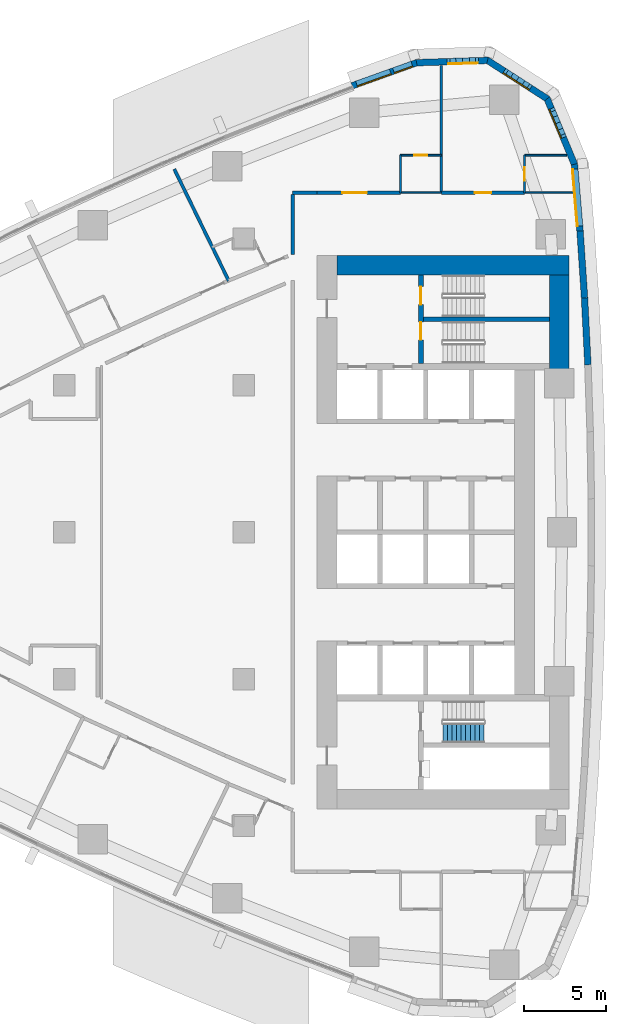
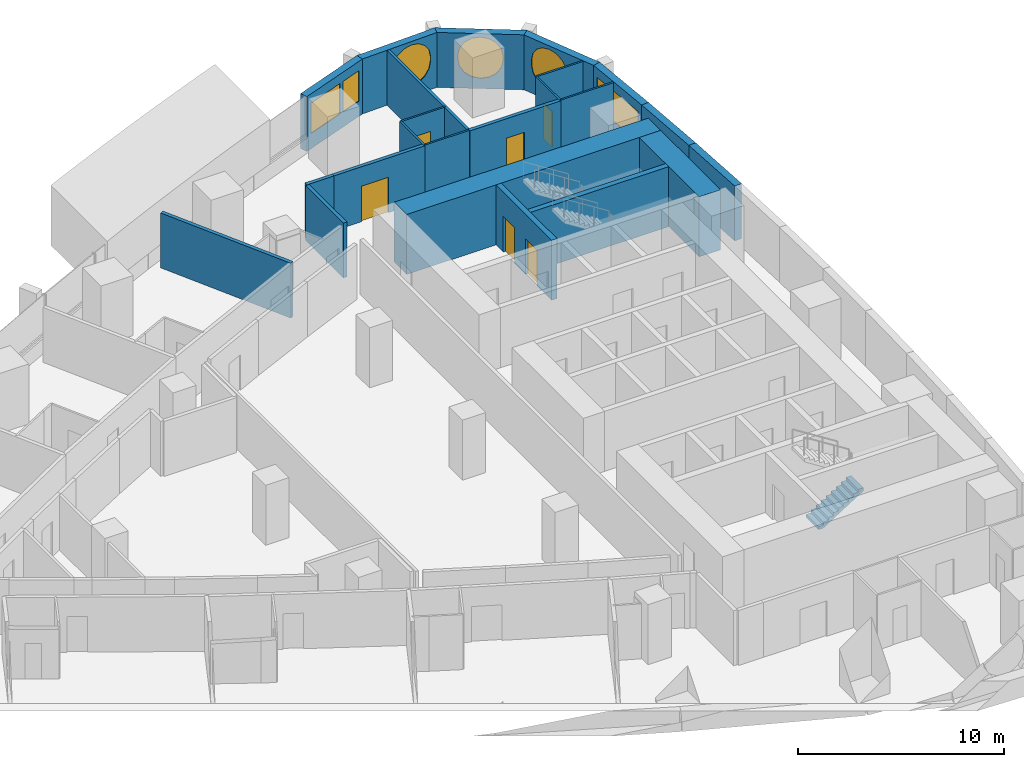
# One storey, part 13 of 19: 23 walls, 6 doors, 6 windows, 1 stair flight, 12 openings, 1 element without a shape of its own.
"""IFC4 building model written with IfcOpenShell, lengths in metres."""

from ifc_helpers import new_model, si_unit, direction, frame, frame_2d, origin, place, context, subcontext, project, spatial, polyline, rectangle, outline, extrude, material, layer, layer_set, type_object, element, fill, aggregate, save


model = new_model("IFC4")

# Units and contexts
model_context = context("Model", 3, precision=1e-05, world=origin(), true_north=direction((0.0, 1.0)))
body_context = subcontext(model_context, "Body", "Model", "MODEL_VIEW")
ifc_project = project(units=[si_unit("LENGTHUNIT", "METRE"), si_unit("AREAUNIT", "SQUARE_METRE"), si_unit("VOLUMEUNIT", "CUBIC_METRE"), si_unit("PLANEANGLEUNIT", "RADIAN"), si_unit("MASSUNIT", "GRAM", prefix="KILO")], contexts=[model_context])

# Site, building, storey
site_placement = place(None, origin())
site = spatial("IfcSite", under=ifc_project, at=site_placement, CompositionType="ELEMENT")
building_placement = place(site_placement, origin())
building = spatial("IfcBuilding", under=site, at=building_placement, Name="Ostrand Prow Hotel Tower", CompositionType="ELEMENT")
storey_placement = place(building_placement, frame((0.0, 0.0, 60.89990234375)))
storey = spatial("IfcBuildingStorey", under=building, at=storey_placement, Name="L13", CompositionType="ELEMENT", Elevation=60.89990234375)

# Walls
ifc_material_1 = material(Name="Concrete C80/95", Category="concrete")
ifc_layer_1 = layer(ifc_material_1, 1.199951171875)
ifc_layer_set_1 = layer_set([ifc_layer_1], Name="Concrete C80/95")
wall_type_1 = type_object("IfcWallType", Name="Core wall 1200 C80/95", PredefinedType="SHEAR", material=ifc_layer_set_1)
wall_1_placement = place(storey_placement, frame((50.699951171875, 16.35009765625, 0.0), z_axis=(0.0, 0.0, 1.0), x_axis=(1.0, 0.0, 0.0)))
element("IfcWall", 1, at=wall_1_placement, inside=storey, type_object=wall_type_1, Name="Core wall CW-N", PredefinedType="SHEAR", context=body_context, shape_type="SweptSolid", body=[
    extrude(rectangle(XDim=14.219970703125, YDim=1.199951171875, at=frame_2d((7.10986328125, 0.0))), origin(), (0.0, 0.0, 1.0), 3.550048828125),
])
wall_2_placement = place(storey_placement, frame((64.320068359375, 9.949951171875, 0.0), z_axis=(0.0, 0.0, 1.0), x_axis=(0.0, 1.0, 0.0)))
element("IfcWall", 2, at=wall_2_placement, inside=storey, type_object=wall_type_1, Name="Core wall CW-E-N", PredefinedType="SHEAR", context=body_context, shape_type="SweptSolid", body=[
    extrude(rectangle(XDim=5.800048828125, YDim=1.199951171875, at=frame_2d((2.89990234375, 0.0))), origin(), (0.0, 0.0, 1.0), 3.550048828125),
])

# Wall, openings, doors
ifc_material_2 = material(Name="Concrete C80/95", Category="concrete")
ifc_layer_2 = layer(ifc_material_2, 0.300048828125)
ifc_layer_set_2 = layer_set([ifc_layer_2], Name="Concrete C80/95")
wall_type_2 = type_object("IfcWallType", Name="Core wall 300 C80/95", PredefinedType="SHEAR", material=ifc_layer_set_2)
wall_3_placement = place(storey_placement, frame((55.85009765625, 10.35009765625, 0.0), z_axis=(0.0, 0.0, 1.0), x_axis=(0.0, 1.0, 0.0)))
wall_3 = element("IfcWall", 3, at=wall_3_placement, inside=storey, type_object=wall_type_2, Name="Core wall PW-VN", PredefinedType="SHEAR", context=body_context, shape_type="SweptSolid", body=[
    extrude(rectangle(XDim=5.39990234375, YDim=0.300048828125, at=frame_2d((2.699951171875, 0.0))), origin(), (0.0, 0.0, 1.0), 3.550048828125),
])
opening_1_placement = place(wall_3_placement, frame((1.429931640625, 0.0, 0.0)))
opening_1 = element("IfcOpeningElement", 4, at=opening_1_placement, cuts=wall_3, Name="Opening FD1", PredefinedType="OPENING", context=body_context, shape_type="SweptSolid", body=[
    extrude(rectangle(XDim=1.10009765625, YDim=2.10009765625, at=frame_2d((0.550048828125, 1.050048828125))), frame((0.0, 0.159912109375, 0.0), z_axis=(0.0, -1.0, 0.0), x_axis=(1.0, 0.0, 0.0)), (0.0, 0.0, 1.0), 0.320068359375),
])
opening_2_placement = place(wall_3_placement, frame((3.60009765625, 0.0, 0.0)))
opening_2 = element("IfcOpeningElement", 5, at=opening_2_placement, cuts=wall_3, Name="Opening FD1", PredefinedType="OPENING", context=body_context, shape_type="SweptSolid", body=[
    extrude(rectangle(XDim=1.10009765625, YDim=2.10009765625, at=frame_2d((0.550048828125, 1.050048828125))), frame((0.0, 0.159912109375, 0.0), z_axis=(0.0, -1.0, 0.0), x_axis=(1.0, 0.0, 0.0)), (0.0, 0.0, 1.0), 0.320068359375),
])
ifc_material_3 = material(Name="Steel fire door", Category="steel")
door_type_1 = type_object("IfcDoorType", Name="Fire door 1100 EI120", OperationType="SINGLE_SWING_RIGHT", PredefinedType="DOOR", material=ifc_material_3)
door_1_placement = place(opening_1_placement, origin())
door_1 = element("IfcDoor", 6, at=door_1_placement, inside=storey, type_object=door_type_1, Name="FIRE DOOR", OperationType="SINGLE_SWING_RIGHT", OverallHeight=2.10009765625, OverallWidth=1.10009765625, PredefinedType="DOOR", context=body_context, shape_type="SweptSolid", body=[
    extrude(rectangle(XDim=1.10009765625, YDim=2.10009765625, at=frame_2d((0.550048828125, 1.050048828125))), frame((0.0, 0.02490234375, 0.0), z_axis=(0.0, -1.0, 0.0), x_axis=(1.0, 0.0, 0.0)), (0.0, 0.0, 1.0), 0.050048828125),
])
fill(opening_1, door_1)
door_2_placement = place(opening_2_placement, origin())
door_2 = element("IfcDoor", 7, at=door_2_placement, inside=storey, type_object=door_type_1, Name="FIRE DOOR", OperationType="SINGLE_SWING_RIGHT", OverallHeight=2.10009765625, OverallWidth=1.10009765625, PredefinedType="DOOR", context=body_context, shape_type="SweptSolid", body=[
    extrude(rectangle(XDim=1.10009765625, YDim=2.10009765625, at=frame_2d((0.550048828125, 1.050048828125))), frame((0.0, 0.02490234375, 0.0), z_axis=(0.0, -1.0, 0.0), x_axis=(1.0, 0.0, 0.0)), (0.0, 0.0, 1.0), 0.050048828125),
])
fill(opening_2, door_2)

# Walls
wall_4_placement = place(storey_placement, frame((56.0, 13.050048828125, 0.0), z_axis=(0.0, 0.0, 1.0), x_axis=(1.0, 0.0, 0.0)))
element("IfcWall", 8, at=wall_4_placement, inside=storey, type_object=wall_type_2, Name="Core wall PW-ST13", PredefinedType="SHEAR", context=body_context, shape_type="SweptSolid", body=[
    extrude(rectangle(XDim=7.719970703125, YDim=0.300048828125, at=frame_2d((3.85986328125, 0.0))), origin(), (0.0, 0.0, 1.0), 3.550048828125),
])
ifc_material_4 = material(Name="Plasterboard partition")
ifc_layer_3 = layer(ifc_material_4, 0.10009765625)
ifc_layer_set_3 = layer_set([ifc_layer_3], Name="Plasterboard partition")
wall_type_3 = type_object("IfcWallType", Name="Partition 100 bathroom wall", PredefinedType="PARTITIONING", material=ifc_layer_set_3)
wall_5_placement = place(storey_placement, frame((54.601806640625, 20.800048828125, 0.0), z_axis=(0.0, 0.0, 1.0), x_axis=(0.0, 1.0, 0.0)))
element("IfcWall", 9, at=wall_5_placement, inside=storey, type_object=wall_type_3, Name="BATHROOM WALL", PredefinedType="PARTITIONING", context=body_context, shape_type="SweptSolid", body=[
    extrude(rectangle(XDim=2.300048828125, YDim=0.10009765625, at=frame_2d((1.14990234375, 0.0))), origin(), (0.0, 0.0, 1.0), 3.25),
])

# Wall, opening, door
wall_6_placement = place(storey_placement, frame((54.601806640625, 23.10009765625, 0.0), z_axis=(0.0, 0.0, 1.0), x_axis=(1.0, 0.0, 0.0)))
wall_6 = element("IfcWall", 10, at=wall_6_placement, inside=storey, type_object=wall_type_3, Name="BATHROOM WALL", PredefinedType="PARTITIONING", context=body_context, shape_type="SweptSolid", body=[
    extrude(rectangle(XDim=2.5, YDim=0.10009765625, at=frame_2d((1.25, 0.0))), origin(), (0.0, 0.0, 1.0), 3.25),
])
opening_3_placement = place(wall_6_placement, frame((0.85009765625, 0.0, 0.0)))
opening_3 = element("IfcOpeningElement", 11, at=opening_3_placement, cuts=wall_6, Name="Opening D2", PredefinedType="OPENING", context=body_context, shape_type="SweptSolid", body=[
    extrude(rectangle(XDim=0.800048828125, YDim=2.10009765625, at=frame_2d((0.39990234375, 1.050048828125))), frame((0.0, 0.06005859375, 0.0), z_axis=(0.0, -1.0, 0.0), x_axis=(1.0, 0.0, 0.0)), (0.0, 0.0, 1.0), 0.1201171875),
])
ifc_material_5 = material(Name="Timber door leaf", Category="wood")
door_type_2 = type_object("IfcDoorType", Name="Bathroom door 800", OperationType="SINGLE_SWING_LEFT", PredefinedType="DOOR", material=ifc_material_5)
door_3_placement = place(opening_3_placement, origin())
door_3 = element("IfcDoor", 12, at=door_3_placement, inside=storey, type_object=door_type_2, Name="DOOR", OperationType="SINGLE_SWING_LEFT", OverallHeight=2.10009765625, OverallWidth=0.800048828125, PredefinedType="DOOR", context=body_context, shape_type="SweptSolid", body=[
    extrude(rectangle(XDim=0.800048828125, YDim=2.10009765625, at=frame_2d((0.39990234375, 1.050048828125))), frame((0.0, 0.02490234375, 0.0), z_axis=(0.0, -1.0, 0.0), x_axis=(1.0, 0.0, 0.0)), (0.0, 0.0, 1.0), 0.050048828125),
])
fill(opening_3, door_3)

wall_7_placement = place(storey_placement, frame((62.203369140625, 20.800048828125, 0.0), z_axis=(0.0, 0.0, 1.0), x_axis=(0.0, 1.0, 0.0)))
wall_7 = element("IfcWall", 13, at=wall_7_placement, inside=storey, type_object=wall_type_3, Name="BATHROOM WALL", PredefinedType="PARTITIONING", context=body_context, shape_type="SweptSolid", body=[
    extrude(rectangle(XDim=2.300048828125, YDim=0.10009765625, at=frame_2d((1.14990234375, 0.0))), origin(), (0.0, 0.0, 1.0), 3.25),
])
opening_4_placement = place(wall_7_placement, frame((0.75, 0.0, 0.0)))
opening_4 = element("IfcOpeningElement", 14, at=opening_4_placement, cuts=wall_7, Name="Opening D2", PredefinedType="OPENING", context=body_context, shape_type="SweptSolid", body=[
    extrude(rectangle(XDim=0.800048828125, YDim=2.10009765625, at=frame_2d((0.39990234375, 1.050048828125))), frame((0.0, 0.06005859375, 0.0), z_axis=(0.0, -1.0, 0.0), x_axis=(1.0, 0.0, 0.0)), (0.0, 0.0, 1.0), 0.1201171875),
])
door_4_placement = place(opening_4_placement, origin())
door_4 = element("IfcDoor", 15, at=door_4_placement, inside=storey, type_object=door_type_2, Name="DOOR", OperationType="SINGLE_SWING_LEFT", OverallHeight=2.10009765625, OverallWidth=0.800048828125, PredefinedType="DOOR", context=body_context, shape_type="SweptSolid", body=[
    extrude(rectangle(XDim=0.800048828125, YDim=2.10009765625, at=frame_2d((0.39990234375, 1.050048828125))), frame((0.0, 0.02490234375, 0.0), z_axis=(0.0, -1.0, 0.0), x_axis=(1.0, 0.0, 0.0)), (0.0, 0.0, 1.0), 0.050048828125),
])
fill(opening_4, door_4)

# Walls
wall_8_placement = place(storey_placement, frame((62.203369140625, 23.10009765625, 0.0), z_axis=(0.0, 0.0, 1.0), x_axis=(1.0, 0.0, 0.0)))
element("IfcWall", 16, at=wall_8_placement, inside=storey, type_object=wall_type_3, Name="BATHROOM WALL", PredefinedType="PARTITIONING", context=body_context, shape_type="SweptSolid", body=[
    extrude(rectangle(XDim=2.578125, YDim=0.10009765625, at=frame_2d((1.2890625, 0.0))), origin(), (0.0, 0.0, 1.0), 3.25),
])
wall_9_placement = place(storey_placement, frame((57.101806640625, 20.804931640625, 0.0), z_axis=(0.0, 0.0, 1.0), x_axis=(-1.0, 0.0, 0.0)))
element("IfcWall", 17, at=wall_9_placement, inside=storey, type_object=wall_type_3, Name="BATHROOM WALL", PredefinedType="PARTITIONING", context=body_context, shape_type="SweptSolid", body=[
    extrude(rectangle(XDim=2.5, YDim=0.10009765625, at=frame_2d((1.25, 0.0))), origin(), (0.0, 0.0, 1.0), 3.25),
])
wall_10_placement = place(storey_placement, frame((65.174560546875, 20.804931640625, 0.0), z_axis=(0.0, 0.0, 1.0), x_axis=(-1.0, 0.0, 0.0)))
element("IfcWall", 18, at=wall_10_placement, inside=storey, type_object=wall_type_3, Name="BATHROOM WALL", PredefinedType="PARTITIONING", context=body_context, shape_type="SweptSolid", body=[
    extrude(rectangle(XDim=2.97119140625, YDim=0.10009765625, at=frame_2d((1.485595703125, 0.0))), origin(), (0.0, 0.0, 1.0), 3.25),
])
ifc_material_6 = material(Name="Plasterboard partition")
ifc_layer_4 = layer(ifc_material_6, 0.14990234375)
ifc_layer_set_4 = layer_set([ifc_layer_4], Name="Plasterboard partition")
wall_type_4 = type_object("IfcWallType", Name="Partition 150 room partition", PredefinedType="PARTITIONING", material=ifc_layer_set_4)
wall_11_placement = place(storey_placement, frame((57.101806640625, 20.800048828125, 0.0), z_axis=(0.0, 0.0, 1.0), x_axis=(0.0, 1.0, 0.0)))
element("IfcWall", 19, at=wall_11_placement, inside=storey, type_object=wall_type_4, Name="ROOM PARTITION", PredefinedType="PARTITIONING", context=body_context, shape_type="SweptSolid", body=[
    extrude(rectangle(XDim=7.786865234375, YDim=0.14990234375, at=frame_2d((3.8935546875, 0.0))), origin(), (0.0, 0.0, 1.0), 3.25),
])

# Wall, opening, door
ifc_material_7 = material(Name="Plasterboard partition")
ifc_layer_5 = layer(ifc_material_7, 0.199951171875)
ifc_layer_set_5 = layer_set([ifc_layer_5], Name="Plasterboard partition")
wall_type_5 = type_object("IfcWallType", Name="Partition 200 corridor wall", PredefinedType="PARTITIONING", material=ifc_layer_set_5)
wall_12_placement = place(storey_placement, frame((54.5966796875, 20.804931640625, 0.0), z_axis=(0.0, 0.0, 1.0), x_axis=(-1.0, 0.0, 0.0)))
wall_12 = element("IfcWall", 20, at=wall_12_placement, inside=storey, type_object=wall_type_5, Name="CORRIDOR WALL", PredefinedType="PARTITIONING", context=body_context, shape_type="SweptSolid", body=[
    extrude(rectangle(XDim=5.0966796875, YDim=0.199951171875, at=frame_2d((2.54833984375, 0.0))), origin(), (0.0, 0.0, 1.0), 3.25),
])
opening_5_placement = place(wall_12_placement, frame((2.04833984375, 0.0, 0.0)))
opening_5 = element("IfcOpeningElement", 21, at=opening_5_placement, cuts=wall_12, Name="Opening D15", PredefinedType="OPENING", context=body_context, shape_type="SweptSolid", body=[
    extrude(rectangle(XDim=1.5, YDim=2.10009765625, at=frame_2d((0.75, 1.050048828125))), frame((0.0, 0.10986328125, 0.0), z_axis=(0.0, -1.0, 0.0), x_axis=(1.0, 0.0, 0.0)), (0.0, 0.0, 1.0), 0.219970703125),
])
ifc_material_8 = material(Name="Timber door leaf", Category="wood")
door_type_3 = type_object("IfcDoorType", Name="Double door 1500", OperationType="DOUBLE_DOOR_SINGLE_SWING", PredefinedType="DOOR", material=ifc_material_8)
door_5_placement = place(opening_5_placement, origin())
door_5 = element("IfcDoor", 22, at=door_5_placement, inside=storey, type_object=door_type_3, Name="DOOR", OperationType="DOUBLE_DOOR_SINGLE_SWING", OverallHeight=2.10009765625, OverallWidth=1.5, PredefinedType="DOOR", context=body_context, shape_type="SweptSolid", body=[
    extrude(rectangle(XDim=1.5, YDim=2.10009765625, at=frame_2d((0.75, 1.050048828125))), frame((0.0, 0.02490234375, 0.0), z_axis=(0.0, -1.0, 0.0), x_axis=(1.0, 0.0, 0.0)), (0.0, 0.0, 1.0), 0.050048828125),
])
fill(opening_5, door_5)

wall_13_placement = place(storey_placement, frame((62.1982421875, 20.804931640625, 0.0), z_axis=(0.0, 0.0, 1.0), x_axis=(-1.0, 0.0, 0.0)))
wall_13 = element("IfcWall", 23, at=wall_13_placement, inside=storey, type_object=wall_type_5, Name="CORRIDOR WALL", PredefinedType="PARTITIONING", context=body_context, shape_type="SweptSolid", body=[
    extrude(rectangle(XDim=5.091552734375, YDim=0.199951171875, at=frame_2d((2.5458984375, 0.0))), origin(), (0.0, 0.0, 1.0), 3.25),
])
opening_6_placement = place(wall_13_placement, frame((2.0458984375, 0.0, 0.0)))
opening_6 = element("IfcOpeningElement", 24, at=opening_6_placement, cuts=wall_13, Name="Opening D1R", PredefinedType="OPENING", context=body_context, shape_type="SweptSolid", body=[
    extrude(rectangle(XDim=1.0, YDim=2.10009765625, at=frame_2d((0.5, 1.050048828125))), frame((0.0, 0.10986328125, 0.0), z_axis=(0.0, -1.0, 0.0), x_axis=(1.0, 0.0, 0.0)), (0.0, 0.0, 1.0), 0.219970703125),
])
ifc_material_9 = material(Name="Timber door leaf", Category="wood")
door_type_4 = type_object("IfcDoorType", Name="Guest room door 1000 right", OperationType="SINGLE_SWING_RIGHT", PredefinedType="DOOR", material=ifc_material_9)
door_6_placement = place(opening_6_placement, origin())
door_6 = element("IfcDoor", 25, at=door_6_placement, inside=storey, type_object=door_type_4, Name="DOOR", OperationType="SINGLE_SWING_RIGHT", OverallHeight=2.10009765625, OverallWidth=1.0, PredefinedType="DOOR", context=body_context, shape_type="SweptSolid", body=[
    extrude(rectangle(XDim=1.0, YDim=2.10009765625, at=frame_2d((0.5, 1.050048828125))), frame((0.0, 0.02490234375, 0.0), z_axis=(0.0, -1.0, 0.0), x_axis=(1.0, 0.0, 0.0)), (0.0, 0.0, 1.0), 0.050048828125),
])
fill(opening_6, door_6)

# Walls
wall_14_placement = place(storey_placement, frame((49.5, 20.804931640625, 0.0), z_axis=(0.0, 0.0, 1.0), x_axis=(-0.999998933031, -0.001460800259, 0.0)))
element("IfcWall", 26, at=wall_14_placement, inside=storey, type_object=wall_type_5, Name="CORRIDOR WALL", PredefinedType="PARTITIONING", context=body_context, shape_type="SweptSolid", body=[
    extrude(rectangle(XDim=1.504150390625, YDim=0.199951171875, at=frame_2d((0.751953125, 0.0))), origin(), (0.0, 0.0, 1.0), 3.25),
])
wall_15_placement = place(storey_placement, frame((47.995849609375, 20.682861328125, 0.0), z_axis=(0.0, 0.0, 1.0), x_axis=(0.000801763623, -0.999999678587, 0.0)))
element("IfcWall", 27, at=wall_15_placement, inside=storey, type_object=wall_type_5, Name="CORRIDOR WALL", PredefinedType="PARTITIONING", context=body_context, shape_type="SweptSolid", body=[
    extrude(rectangle(XDim=3.654052734375, YDim=0.199951171875, at=frame_2d((1.8271484375, 0.0))), origin(), (0.0, 0.0, 1.0), 3.25),
])
ifc_material_10 = material(Name="Plasterboard partition")
ifc_layer_6 = layer(ifc_material_10, 0.199951171875)
ifc_layer_set_6 = layer_set([ifc_layer_6], Name="Plasterboard partition")
wall_type_6 = type_object("IfcWallType", Name="Partition 200 key partition", PredefinedType="PARTITIONING", material=ifc_layer_set_6)
wall_16_placement = place(storey_placement, frame((44.080322265625, 15.402587890625, 0.0), z_axis=(0.0, 0.0, 1.0), x_axis=(-0.438196739796, 0.898879089328, 0.0)))
element("IfcWall", 28, at=wall_16_placement, inside=storey, type_object=wall_type_6, Name="KEY PARTITION", PredefinedType="PARTITIONING", context=body_context, shape_type="SweptSolid", body=[
    extrude(rectangle(XDim=7.611083984375, YDim=0.199951171875, at=frame_2d((3.8056640625, 0.0))), origin(), (0.0, 0.0, 1.0), 3.25),
])
ifc_material_11 = material(Name="Precast concrete C40/50", Category="concrete")
ifc_layer_7 = layer(ifc_material_11, 0.39990234375)
ifc_layer_set_7 = layer_set([ifc_layer_7], Name="Precast concrete C40/50")
wall_type_7 = type_object("IfcWallType", Name="Stone-faced precast wall 400 mm", PredefinedType="NOTDEFINED", material=ifc_layer_set_7)
for number, where, z_axis, x_axis, name in (
    (29, (66.084716796875, 10.259765625, 0.0), (0.0, 0.0, 1.0), (-0.050314326423, 0.998733432181, 0.0), "Stone-faced wall back 13"),
    (30, (65.878173828125, 14.359619140625, 0.0), (0.0, 0.0, 1.0), (-0.067087430225, 0.997747100575, 0.0), "Stone-faced wall back 14"),
):
    element("IfcWall", number, at=place(storey_placement, frame(where, z_axis=z_axis, x_axis=x_axis)), inside=storey, type_object=wall_type_7, Name=name, PredefinedType="NOTDEFINED", context=body_context, shape_type="SweptSolid", body=[
        extrude(outline(polyline([(-0.001708984375, -0.199951171875), (4.106689453125, -0.199951171875), (4.103271484375, 0.199951171875), (0.001708984375, 0.199951171875), (-0.001708984375, -0.199951171875)])), origin(), (0.0, 0.0, 1.0), 3.25),
    ])

# Wall, opening, window
wall_17_placement = place(storey_placement, frame((65.602783203125, 18.455322265625, 0.0), z_axis=(0.0, 0.0, 1.0), x_axis=(-0.083793550906, 0.996483136248, 0.0)))
wall_17 = element("IfcWall", 31, at=wall_17_placement, inside=storey, type_object=wall_type_7, Name="Stone-faced wall back 15", PredefinedType="NOTDEFINED", context=body_context, shape_type="SweptSolid", body=[
    extrude(outline(polyline([(-0.001708984375, -0.199951171875), (4.136474609375, -0.199951171875), (4.073974609375, 0.199951171875), (0.001708984375, 0.199951171875), (-0.001708984375, -0.199951171875)])), origin(), (0.0, 0.0, 1.0), 3.25),
])
opening_7_placement = place(wall_17_placement, frame((0.302490234375, 0.0, 0.89990234375)))
opening_7 = element("IfcOpeningElement", 32, at=opening_7_placement, cuts=wall_17, Name="Opening WS3-35", PredefinedType="OPENING", context=body_context, shape_type="SweptSolid", body=[
    extrude(rectangle(XDim=3.5, YDim=1.800048828125, at=frame_2d((1.75, 0.89990234375))), frame((0.0, 0.2099609375, 0.0), z_axis=(0.0, -1.0, 0.0), x_axis=(1.0, 0.0, 0.0)), (0.0, 0.0, 1.0), 0.419921875),
])
ifc_material_12 = material(Name="Insulated glass in bronze frame", Category="glass")
window_type_1 = type_object("IfcWindowType", Name="Strip window 3500x1800", PartitioningType="SINGLE_PANEL", PredefinedType="WINDOW", material=ifc_material_12)
window_1_placement = place(opening_7_placement, origin())
window_1 = element("IfcWindow", 33, at=window_1_placement, inside=storey, type_object=window_type_1, Name="Window back 15.1", OverallHeight=1.800048828125, OverallWidth=3.5, PartitioningType="SINGLE_PANEL", PredefinedType="WINDOW", context=body_context, shape_type="SweptSolid", body=[
    extrude(rectangle(XDim=3.5, YDim=1.800048828125, at=frame_2d((1.75, 0.89990234375))), frame((0.0, 0.169921875, 0.0), z_axis=(0.0, -1.0, 0.0), x_axis=(1.0, 0.0, 0.0)), (0.0, 0.0, 1.0), 0.06005859375),
])
fill(opening_7, window_1)

wall_18_placement = place(storey_placement, frame((65.2587890625, 22.546142578125, 0.0), z_axis=(0.0, 0.0, 1.0), x_axis=(-0.384372042685, 0.923178277908, 0.0)))
wall_18 = element("IfcWall", 34, at=wall_18_placement, inside=storey, type_object=wall_type_7, Name="Stone-faced wall back 16", PredefinedType="NOTDEFINED", context=body_context, shape_type="SweptSolid", body=[
    extrude(outline(polyline([(-0.03125, -0.199951171875), (4.408203125, -0.199951171875), (4.283203125, 0.199951171875), (0.03125, 0.199951171875), (-0.03125, -0.199951171875)])), origin(), (0.0, 0.0, 1.0), 3.25),
])
opening_8_placement = place(wall_18_placement, frame((1.630615234375, 0.0, 0.60009765625)))
opening_8 = element("IfcOpeningElement", 35, at=opening_8_placement, cuts=wall_18, Name="Opening WP1", PredefinedType="OPENING", context=body_context, shape_type="SweptSolid", body=[
    extrude(outline(polyline([(0.0, 1.35009765625), (0.083740234375, 1.77099609375), (0.322265625, 2.127685546875), (0.678955078125, 2.3662109375), (1.10009765625, 2.449951171875), (1.52099609375, 2.3662109375), (1.877685546875, 2.127685546875), (2.1162109375, 1.77099609375), (2.199951171875, 1.35009765625), (2.199951171875, 1.10009765625), (2.1162109375, 0.678955078125), (1.877685546875, 0.322265625), (1.52099609375, 0.083740234375), (1.10009765625, 0.0), (0.678955078125, 0.083740234375), (0.322265625, 0.322265625), (0.083740234375, 0.678955078125), (0.0, 1.099853515625), (0.0, 1.35009765625)])), frame((0.0, 0.2099609375, 0.0), z_axis=(0.0, -1.0, 0.0), x_axis=(1.0, 0.0, 0.0)), (0.0, 0.0, 1.0), 0.419921875),
])
ifc_material_13 = material(Name="Insulated glass in bronze frame", Category="glass")
window_type_2 = type_object("IfcWindowType", Name="Round-ended prow window 2200x2450", PartitioningType="SINGLE_PANEL", PredefinedType="WINDOW", material=ifc_material_13)
window_2_placement = place(opening_8_placement, origin())
window_2 = element("IfcWindow", 36, at=window_2_placement, inside=storey, type_object=window_type_2, Name="Window back 16.1", OverallHeight=2.449951171875, OverallWidth=2.199951171875, PartitioningType="SINGLE_PANEL", PredefinedType="WINDOW", context=body_context, shape_type="SweptSolid", body=[
    extrude(outline(polyline([(0.0, 1.35009765625), (0.083740234375, 1.77099609375), (0.322265625, 2.127685546875), (0.678955078125, 2.3662109375), (1.10009765625, 2.449951171875), (1.52099609375, 2.3662109375), (1.877685546875, 2.127685546875), (2.1162109375, 1.77099609375), (2.199951171875, 1.35009765625), (2.199951171875, 1.10009765625), (2.1162109375, 0.678955078125), (1.877685546875, 0.322265625), (1.52099609375, 0.083740234375), (1.10009765625, 0.0), (0.678955078125, 0.083740234375), (0.322265625, 0.322265625), (0.083740234375, 0.678955078125), (0.0, 1.099853515625), (0.0, 1.35009765625)])), frame((0.0, 0.169921875, 0.0), z_axis=(0.0, -1.0, 0.0), x_axis=(1.0, 0.0, 0.0)), (0.0, 0.0, 1.0), 0.06005859375),
])
fill(opening_8, window_2)

wall_19_placement = place(storey_placement, frame((63.58837890625, 26.55810546875, 0.0), z_axis=(0.0, 0.0, 1.0), x_axis=(-0.840937468718, 0.541132307025, 0.0)))
wall_19 = element("IfcWall", 37, at=wall_19_placement, inside=storey, type_object=wall_type_7, Name="Stone-faced wall back 17", PredefinedType="NOTDEFINED", context=body_context, shape_type="SweptSolid", body=[
    extrude(outline(polyline([(-0.0625, -0.199951171875), (4.40869140625, -0.199951171875), (4.28369140625, 0.199951171875), (0.0625, 0.199951171875), (-0.0625, -0.199951171875)])), origin(), (0.0, 0.0, 1.0), 3.25),
])
opening_9_placement = place(wall_19_placement, frame((1.072998046875, 0.0, 0.60009765625)))
opening_9 = element("IfcOpeningElement", 38, at=opening_9_placement, cuts=wall_19, Name="Opening WP1", PredefinedType="OPENING", context=body_context, shape_type="SweptSolid", body=[
    extrude(outline(polyline([(0.0, 1.35009765625), (0.083740234375, 1.77099609375), (0.322265625, 2.127685546875), (0.678955078125, 2.3662109375), (1.10009765625, 2.449951171875), (1.52099609375, 2.3662109375), (1.877685546875, 2.127685546875), (2.1162109375, 1.77099609375), (2.199951171875, 1.35009765625), (2.199951171875, 1.10009765625), (2.1162109375, 0.678955078125), (1.877685546875, 0.322265625), (1.52099609375, 0.083740234375), (1.10009765625, 0.0), (0.678955078125, 0.083740234375), (0.322265625, 0.322265625), (0.083740234375, 0.678955078125), (0.0, 1.099853515625), (0.0, 1.35009765625)])), frame((0.0, 0.2099609375, 0.0), z_axis=(0.0, -1.0, 0.0), x_axis=(1.0, 0.0, 0.0)), (0.0, 0.0, 1.0), 0.419921875),
])
window_3_placement = place(opening_9_placement, origin())
window_3 = element("IfcWindow", 39, at=window_3_placement, inside=storey, type_object=window_type_2, Name="Window back 17.1", OverallHeight=2.449951171875, OverallWidth=2.199951171875, PartitioningType="SINGLE_PANEL", PredefinedType="WINDOW", context=body_context, shape_type="SweptSolid", body=[
    extrude(outline(polyline([(0.0, 1.35009765625), (0.083740234375, 1.77099609375), (0.322265625, 2.127685546875), (0.678955078125, 2.3662109375), (1.10009765625, 2.449951171875), (1.52099609375, 2.3662109375), (1.877685546875, 2.127685546875), (2.1162109375, 1.77099609375), (2.199951171875, 1.35009765625), (2.199951171875, 1.10009765625), (2.1162109375, 0.678955078125), (1.877685546875, 0.322265625), (1.52099609375, 0.083740234375), (1.10009765625, 0.0), (0.678955078125, 0.083740234375), (0.322265625, 0.322265625), (0.083740234375, 0.678955078125), (0.0, 1.099853515625), (0.0, 1.35009765625)])), frame((0.0, 0.169921875, 0.0), z_axis=(0.0, -1.0, 0.0), x_axis=(1.0, 0.0, 0.0)), (0.0, 0.0, 1.0), 0.06005859375),
])
fill(opening_9, window_3)

wall_20_placement = place(storey_placement, frame((59.93359375, 28.909912109375, 0.0), z_axis=(0.0, 0.0, 1.0), x_axis=(-0.999463576228, -0.032749958686, 0.0)))
wall_20 = element("IfcWall", 40, at=wall_20_placement, inside=storey, type_object=wall_type_7, Name="Stone-faced wall back 18", PredefinedType="NOTDEFINED", context=body_context, shape_type="SweptSolid", body=[
    extrude(outline(polyline([(-0.0625, -0.199951171875), (4.377685546875, -0.199951171875), (4.314697265625, 0.199951171875), (0.0625, 0.199951171875), (-0.0625, -0.199951171875)])), origin(), (0.0, 0.0, 1.0), 3.25),
])
opening_10_placement = place(wall_20_placement, frame((0.421875, 0.0, 0.60009765625)))
opening_10 = element("IfcOpeningElement", 41, at=opening_10_placement, cuts=wall_20, Name="Opening WP1", PredefinedType="OPENING", context=body_context, shape_type="SweptSolid", body=[
    extrude(outline(polyline([(0.0, 1.35009765625), (0.083740234375, 1.77099609375), (0.322265625, 2.127685546875), (0.678955078125, 2.3662109375), (1.10009765625, 2.449951171875), (1.52099609375, 2.3662109375), (1.877685546875, 2.127685546875), (2.1162109375, 1.77099609375), (2.199951171875, 1.35009765625), (2.199951171875, 1.10009765625), (2.1162109375, 0.678955078125), (1.877685546875, 0.322265625), (1.52099609375, 0.083740234375), (1.10009765625, 0.0), (0.678955078125, 0.083740234375), (0.322265625, 0.322265625), (0.083740234375, 0.678955078125), (0.0, 1.099853515625), (0.0, 1.35009765625)])), frame((0.0, 0.2099609375, 0.0), z_axis=(0.0, -1.0, 0.0), x_axis=(1.0, 0.0, 0.0)), (0.0, 0.0, 1.0), 0.419921875),
])
window_4_placement = place(opening_10_placement, origin())
window_4 = element("IfcWindow", 42, at=window_4_placement, inside=storey, type_object=window_type_2, Name="Window back 18.1", OverallHeight=2.449951171875, OverallWidth=2.199951171875, PartitioningType="SINGLE_PANEL", PredefinedType="WINDOW", context=body_context, shape_type="SweptSolid", body=[
    extrude(outline(polyline([(0.0, 1.35009765625), (0.083740234375, 1.77099609375), (0.322265625, 2.127685546875), (0.678955078125, 2.3662109375), (1.10009765625, 2.449951171875), (1.52099609375, 2.3662109375), (1.877685546875, 2.127685546875), (2.1162109375, 1.77099609375), (2.199951171875, 1.35009765625), (2.199951171875, 1.10009765625), (2.1162109375, 0.678955078125), (1.877685546875, 0.322265625), (1.52099609375, 0.083740234375), (1.10009765625, 0.0), (0.678955078125, 0.083740234375), (0.322265625, 0.322265625), (0.083740234375, 0.678955078125), (0.0, 1.099853515625), (0.0, 1.35009765625)])), frame((0.0, 0.169921875, 0.0), z_axis=(0.0, -1.0, 0.0), x_axis=(1.0, 0.0, 0.0)), (0.0, 0.0, 1.0), 0.06005859375),
])
fill(opening_10, window_4)

# Wall, openings, windows
wall_21_placement = place(storey_placement, frame((55.58984375, 28.767578125, 0.0), z_axis=(0.0, 0.0, 1.0), x_axis=(-0.941339752885, -0.337460323057, 0.0)))
wall_21 = element("IfcWall", 43, at=wall_21_placement, inside=storey, type_object=wall_type_7, Name="Stone-faced wall back 19", PredefinedType="NOTDEFINED", context=body_context, shape_type="SweptSolid", body=[
    extrude(outline(polyline([(-0.031494140625, -0.199951171875), (4.196044921875, -0.199951171875), (4.196044921875, 0.199951171875), (0.031494140625, 0.199951171875), (-0.031494140625, -0.199951171875)])), origin(), (0.0, 0.0, 1.0), 3.25),
])
opening_11_placement = place(wall_21_placement, frame((0.298095703125, 0.0, 0.89990234375)))
opening_11 = element("IfcOpeningElement", 44, at=opening_11_placement, cuts=wall_21, Name="Opening WS4", PredefinedType="OPENING", context=body_context, shape_type="SweptSolid", body=[
    extrude(rectangle(XDim=1.199951171875, YDim=1.800048828125, at=frame_2d((0.60009765625, 0.89990234375))), frame((0.0, 0.2099609375, 0.0), z_axis=(0.0, -1.0, 0.0), x_axis=(1.0, 0.0, 0.0)), (0.0, 0.0, 1.0), 0.419921875),
])
opening_12_placement = place(wall_21_placement, frame((1.697998046875, 0.0, 0.89990234375)))
opening_12 = element("IfcOpeningElement", 45, at=opening_12_placement, cuts=wall_21, Name="Opening WS5-22", PredefinedType="OPENING", context=body_context, shape_type="SweptSolid", body=[
    extrude(rectangle(XDim=2.199951171875, YDim=1.800048828125, at=frame_2d((1.10009765625, 0.89990234375))), frame((0.0, 0.2099609375, 0.0), z_axis=(0.0, -1.0, 0.0), x_axis=(1.0, 0.0, 0.0)), (0.0, 0.0, 1.0), 0.419921875),
])
ifc_material_14 = material(Name="Insulated glass in bronze frame", Category="glass")
window_type_3 = type_object("IfcWindowType", Name="Fixed strip window 2200x1800", PartitioningType="SINGLE_PANEL", PredefinedType="WINDOW", material=ifc_material_14)
window_5_placement = place(opening_12_placement, origin())
window_5 = element("IfcWindow", 46, at=window_5_placement, inside=storey, type_object=window_type_3, Name="Window back 19.2", OverallHeight=1.800048828125, OverallWidth=2.199951171875, PartitioningType="SINGLE_PANEL", PredefinedType="WINDOW", context=body_context, shape_type="SweptSolid", body=[
    extrude(rectangle(XDim=2.199951171875, YDim=1.800048828125, at=frame_2d((1.10009765625, 0.89990234375))), frame((0.0, 0.169921875, 0.0), z_axis=(0.0, -1.0, 0.0), x_axis=(1.0, 0.0, 0.0)), (0.0, 0.0, 1.0), 0.06005859375),
])
fill(opening_12, window_5)
ifc_material_15 = material(Name="Insulated glass in bronze frame", Category="glass")
window_type_4 = type_object("IfcWindowType", Name="Operable strip panel 1200x1800", PartitioningType="SINGLE_PANEL", PredefinedType="WINDOW", material=ifc_material_15)
window_6_placement = place(opening_11_placement, origin())
window_6 = element("IfcWindow", 47, at=window_6_placement, inside=storey, type_object=window_type_4, Name="Window back 19.1", OverallHeight=1.800048828125, OverallWidth=1.199951171875, PartitioningType="SINGLE_PANEL", PredefinedType="WINDOW", context=body_context, shape_type="SweptSolid", body=[
    extrude(rectangle(XDim=1.199951171875, YDim=1.800048828125, at=frame_2d((0.60009765625, 0.89990234375))), frame((0.0, 0.169921875, 0.0), z_axis=(0.0, -1.0, 0.0), x_axis=(1.0, 0.0, 0.0)), (0.0, 0.0, 1.0), 0.06005859375),
])
fill(opening_11, window_6)

# Stair, stair flight
ifc_material_16 = material(Name="Concrete C40/50", Category="concrete")
stair_type = type_object("IfcStairType", Name="Exit stair 1200 upper zone", PredefinedType="HALF_TURN_STAIR", material=ifc_material_16)
stair_placement = place(storey_placement, origin())
stair = element("IfcStair", 48, at=stair_placement, inside=storey, type_object=stair_type, Name="L13 ST2C", PredefinedType="HALF_TURN_STAIR")
ifc_material_17 = material(Name="Concrete C40/50", Category="concrete")
stair_flight_type = type_object("IfcStairFlightType", Name="Stair flight 1200 concrete", PredefinedType="STRAIGHT", material=ifc_material_17)
stair_flight_placement = place(storey_placement, frame((57.199951171875, -12.300048828125, 0.0), z_axis=(0.0, 0.0, 1.0), x_axis=(1.0, 0.0, 0.0)))
stair_flight = element("IfcStairFlight", 49, at=stair_flight_placement, type_object=stair_flight_type, Name="ST2C flight 1", NumberOfRisers=10, NumberOfTreads=9, PredefinedType="STRAIGHT", RiserHeight=0.1775, TreadLength=0.28, context=body_context, shape_type="SweptSolid", body=[
    extrude(outline(polyline([(0.0, 0.0), (0.0, 0.177490234375), (0.280029296875, 0.177490234375), (0.280029296875, 0.35498046875), (0.56005859375, 0.35498046875), (0.56005859375, 0.532470703125), (0.840087890625, 0.532470703125), (0.840087890625, 0.7099609375), (1.1201171875, 0.7099609375), (1.1201171875, 0.887451171875), (1.39990234375, 0.887451171875), (1.39990234375, 1.06494140625), (1.679931640625, 1.06494140625), (1.679931640625, 1.242431640625), (1.9599609375, 1.242431640625), (1.9599609375, 1.419921875), (2.239990234375, 1.419921875), (2.239990234375, 1.597412109375), (2.52001953125, 1.597412109375), (2.52001953125, 1.77490234375), (2.52001953125, 1.419921875), (0.280029296875, 0.0), (0.0, 0.0)])), frame((0.0, 0.60009765625, 0.0), z_axis=(0.0, -1.0, 0.0), x_axis=(1.0, 0.0, 0.0)), (0.0, 0.0, 1.0), 1.199951171875),
])
aggregate(stair, [stair_flight])

save(model, "model.ifc")
